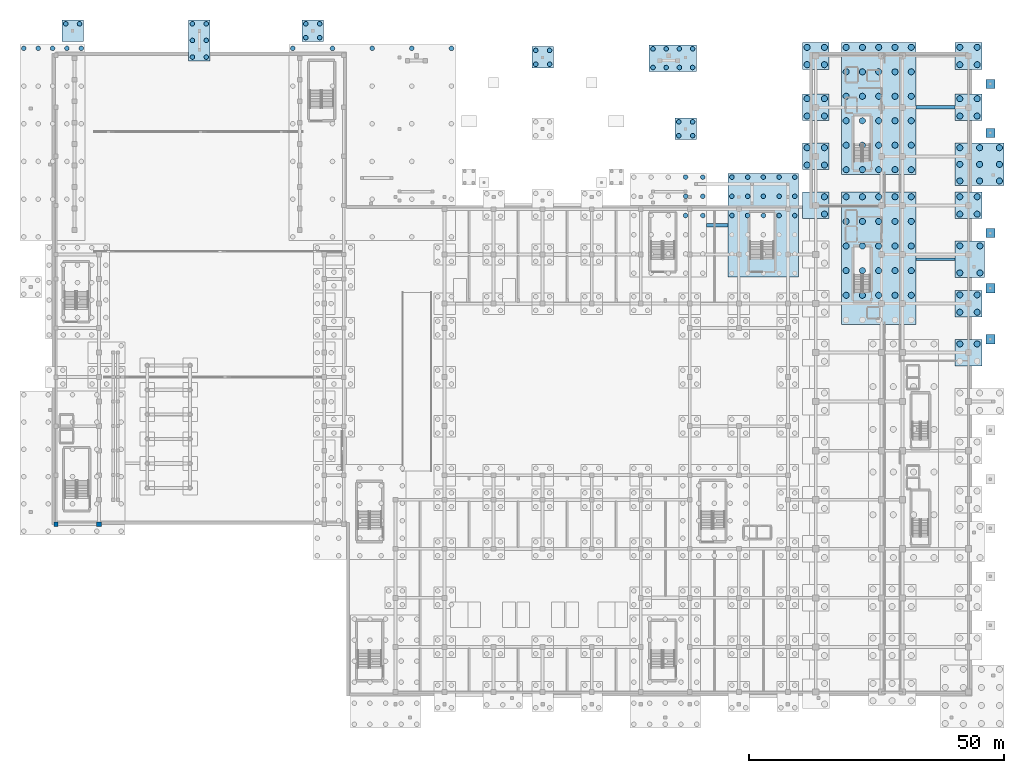
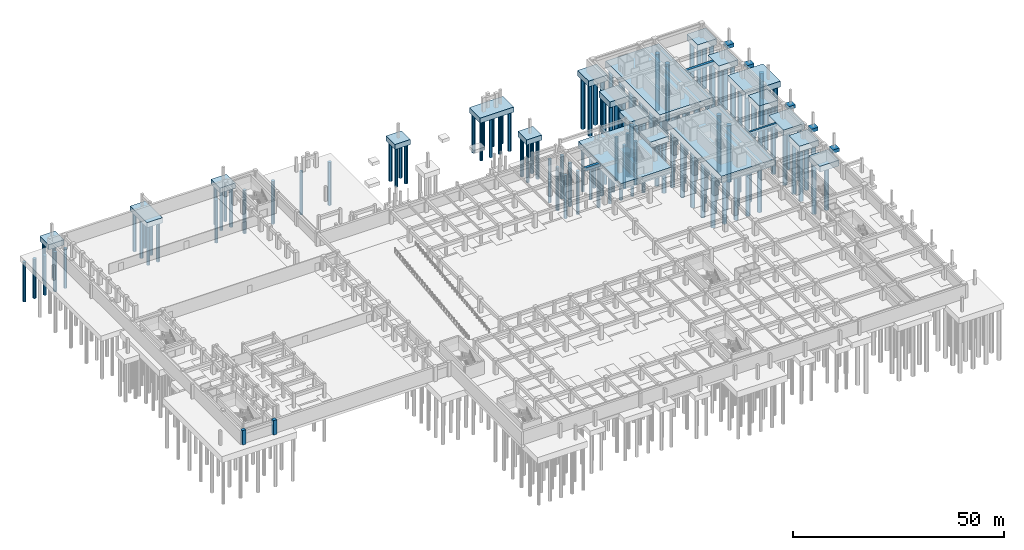
# One storey, part 5 of 39: 159 piles, 28 footings, 2 columns.
"""IFC4 building model written with IfcOpenShell, lengths in metres."""

from ifc_helpers import new_model, si_unit, direction, frame, origin, origin_2d, place, context, subcontext, project, spatial, rectangle, circle, extrude, material, material_profile, profile_set, type_object, element, save


model = new_model("IFC4")

# Units and contexts
model_context = context("Model", 3, precision=1e-05, world=origin(), true_north=direction((0.0, 1.0)))
body_context = subcontext(model_context, "Body", "Model", "MODEL_VIEW")
ifc_project = project(units=[si_unit("LENGTHUNIT", "METRE"), si_unit("AREAUNIT", "SQUARE_METRE"), si_unit("VOLUMEUNIT", "CUBIC_METRE"), si_unit("PLANEANGLEUNIT", "RADIAN"), si_unit("MASSUNIT", "GRAM", prefix="KILO")], contexts=[model_context])

# Site, building, storey
site_placement = place(None, origin())
site = spatial("IfcSite", under=ifc_project, at=site_placement, CompositionType="ELEMENT")
building_placement = place(site_placement, origin())
building = spatial("IfcBuilding", under=site, at=building_placement, Name="Nakhvara Creek Congress Hotel", CompositionType="ELEMENT")
storey_placement = place(building_placement, frame((0.0, 0.0, -8.39990234375)))
storey = spatial("IfcBuildingStorey", under=building, at=storey_placement, Name="B2", CompositionType="ELEMENT", Elevation=-8.39990234375)

# Footings
ifc_material_1 = material(Name="Concrete C40/50", Category="concrete")
footing_type_1 = type_object("IfcFootingType", Name="FT-GB-500X700", PredefinedType="FOOTING_BEAM", material=ifc_material_1)
footing_1_placement = place(storey_placement, frame((172.89990234375, 85.449951171875, -0.7001953125), z_axis=(0.0, 0.0, 1.0), x_axis=(1.0, 0.0, 0.0)))
element("IfcFooting", 1, at=footing_1_placement, inside=storey, type_object=footing_type_1, Name="Ground Beam GB-001", PredefinedType="FOOTING_BEAM", context=body_context, shape_type="SweptSolid", body=[
    extrude(rectangle(XDim=7.699951171875, YDim=0.5, at=origin_2d()), origin(), (0.0, 0.0, 1.0), 0.699951171875),
])
footing_type_2 = type_object("IfcFootingType", Name="FT-GB-700X900", PredefinedType="FOOTING_BEAM", material=ifc_material_1)
footing_2_placement = place(storey_placement, frame((172.89990234375, 115.199951171875, -0.900146484375), z_axis=(0.0, 0.0, 1.0), x_axis=(1.0, 0.0, 0.0)))
element("IfcFooting", 2, at=footing_2_placement, inside=storey, type_object=footing_type_2, Name="Ground Beam GB-002", PredefinedType="FOOTING_BEAM", context=body_context, shape_type="SweptSolid", body=[
    extrude(rectangle(XDim=7.699951171875, YDim=0.699951171875, at=origin_2d()), origin(), (0.0, 0.0, 1.0), 0.89990234375),
])
footing_3_placement = place(storey_placement, frame((130.199951171875, 92.14990234375, -0.900146484375), z_axis=(0.0, 0.0, 1.0), x_axis=(1.0, 0.0, 0.0)))
element("IfcFooting", 3, at=footing_3_placement, inside=storey, type_object=footing_type_2, Name="Ground Beam GB-005", PredefinedType="FOOTING_BEAM", context=body_context, shape_type="SweptSolid", body=[
    extrude(rectangle(XDim=4.199951171875, YDim=0.699951171875, at=origin_2d()), origin(), (0.0, 0.0, 1.0), 0.89990234375),
])
footing_type_3 = type_object("IfcFootingType", Name="FT-MCAP-1380X2030X185", PredefinedType="PILE_CAP", material=ifc_material_1)
footing_4_placement = place(storey_placement, frame((139.199951171875, 92.14990234375, -1.85009765625), z_axis=(0.0, 0.0, 1.0), x_axis=(1.0, 0.0, 0.0)))
element("IfcFooting", 4, at=footing_4_placement, inside=storey, type_object=footing_type_3, Name="Pile Cap 009", PredefinedType="PILE_CAP", context=body_context, shape_type="SweptSolid", body=[
    extrude(rectangle(XDim=13.800048828125, YDim=20.300048828125, at=origin_2d()), origin(), (0.0, 0.0, 1.0), 1.85009765625),
])
footing_type_4 = type_object("IfcFootingType", Name="FT-MCAP-1455X2575X200", PredefinedType="PILE_CAP", material=ifc_material_1)
footing_5_placement = place(storey_placement, frame((161.77490234375, 114.97509765625, -2.0), z_axis=(0.0, 0.0, 1.0), x_axis=(1.0, 0.0, 0.0)))
element("IfcFooting", 5, at=footing_5_placement, inside=storey, type_object=footing_type_4, Name="Pile Cap 002", PredefinedType="PILE_CAP", context=body_context, shape_type="SweptSolid", body=[
    extrude(rectangle(XDim=14.550048828125, YDim=25.75, at=origin_2d()), origin(), (0.0, 0.0, 1.0), 2.0),
])
footing_type_5 = type_object("IfcFootingType", Name="FT-MCAP-1455X2590X200", PredefinedType="PILE_CAP", material=ifc_material_1)
footing_6_placement = place(storey_placement, frame((161.77490234375, 85.64990234375, -2.0), z_axis=(0.0, 0.0, 1.0), x_axis=(1.0, 0.0, 0.0)))
element("IfcFooting", 6, at=footing_6_placement, inside=storey, type_object=footing_type_5, Name="Pile Cap 001", PredefinedType="PILE_CAP", context=body_context, shape_type="SweptSolid", body=[
    extrude(rectangle(XDim=14.550048828125, YDim=25.89990234375, at=origin_2d()), origin(), (0.0, 0.0, 1.0), 2.0),
])
footing_type_6 = type_object("IfcFootingType", Name="FT-MCAP-420X420X150", PredefinedType="PILE_CAP", material=ifc_material_1)
for number, where, z_axis, x_axis, name in (
    (7, (96.0, 125.0, -1.5), (0.0, 0.0, 1.0), (1.0, 0.0, 0.0), "Pile Cap 132"),
    (8, (124.0, 111.0, -1.5), (0.0, 0.0, 1.0), (1.0, 0.0, 0.0), "Pile Cap 133"),
    (9, (4.0, 130.199951171875, -1.5), (0.0, 0.0, 1.0), (1.0, 0.0, 0.0), "Pile Cap 136"),
    (10, (51.0, 130.199951171875, -1.5), (0.0, 0.0, 1.0), (1.0, 0.0, 0.0), "Pile Cap 138"),
):
    element("IfcFooting", number, at=place(storey_placement, frame(where, z_axis=z_axis, x_axis=x_axis)), inside=storey, type_object=footing_type_6, Name=name, PredefinedType="PILE_CAP", context=body_context, shape_type="SweptSolid", body=[
        extrude(rectangle(XDim=4.199951171875, YDim=4.199951171875, at=origin_2d()), origin(), (0.0, 0.0, 1.0), 1.5),
    ])
footing_type_7 = type_object("IfcFootingType", Name="FT-MCAP-420X800X150", PredefinedType="PILE_CAP", material=ifc_material_1)
footing_7_placement = place(storey_placement, frame((28.800048828125, 128.300048828125, -1.5), z_axis=(0.0, 0.0, 1.0), x_axis=(1.0, 0.0, 0.0)))
element("IfcFooting", 11, at=footing_7_placement, inside=storey, type_object=footing_type_7, Name="Pile Cap 137", PredefinedType="PILE_CAP", context=body_context, shape_type="SweptSolid", body=[
    extrude(rectangle(XDim=4.199951171875, YDim=8.0, at=origin_2d()), origin(), (0.0, 0.0, 1.0), 1.5),
])
footing_type_8 = type_object("IfcFootingType", Name="FT-MCAP-520X520X170", PredefinedType="PILE_CAP", material=ifc_material_1)
for number, where, z_axis, x_axis, name in (
    (12, (149.449951171875, 96.0, -1.7001953125), (0.0, 0.0, 1.0), (1.0, 0.0, 0.0), "Pile Cap 110"),
    (13, (149.449951171875, 105.60009765625, -1.7001953125), (0.0, 0.0, 1.0), (1.0, 0.0, 0.0), "Pile Cap 111"),
    (14, (149.449951171875, 115.199951171875, -1.7001953125), (0.0, 0.0, 1.0), (1.0, 0.0, 0.0), "Pile Cap 112"),
    (15, (149.449951171875, 125.25, -1.7001953125), (0.0, 0.0, 1.0), (1.0, 0.0, 0.0), "Pile Cap 113"),
    (16, (179.35009765625, 67.199951171875, -1.7001953125), (0.0, 0.0, 1.0), (1.0, 0.0, 0.0), "Pile Cap 124"),
    (17, (179.35009765625, 76.800048828125, -1.7001953125), (0.0, 0.0, 1.0), (1.0, 0.0, 0.0), "Pile Cap 125"),
    (18, (179.35009765625, 96.0, -1.7001953125), (0.0, 0.0, 1.0), (1.0, 0.0, 0.0), "Pile Cap 127"),
    (19, (179.35009765625, 115.199951171875, -1.7001953125), (0.0, 0.0, 1.0), (1.0, 0.0, 0.0), "Pile Cap 129"),
    (20, (179.35009765625, 125.25, -1.7001953125), (0.0, 0.0, 1.0), (1.0, 0.0, 0.0), "Pile Cap 130"),
):
    element("IfcFooting", number, at=place(storey_placement, frame(where, z_axis=z_axis, x_axis=x_axis)), inside=storey, type_object=footing_type_8, Name=name, PredefinedType="PILE_CAP", context=body_context, shape_type="SweptSolid", body=[
        extrude(rectangle(XDim=5.199951171875, YDim=5.199951171875, at=origin_2d()), origin(), (0.0, 0.0, 1.0), 1.699951171875),
    ])
footing_type_9 = type_object("IfcFootingType", Name="FT-MCAP-575X710X170", PredefinedType="PILE_CAP", material=ifc_material_1)
footing_8_placement = place(storey_placement, frame((179.625, 85.449951171875, -1.7001953125), z_axis=(0.0, 0.0, 1.0), x_axis=(1.0, 0.0, 0.0)))
element("IfcFooting", 21, at=footing_8_placement, inside=storey, type_object=footing_type_9, Name="Pile Cap 126", PredefinedType="PILE_CAP", context=body_context, shape_type="SweptSolid", body=[
    extrude(rectangle(XDim=5.75, YDim=7.10009765625, at=origin_2d()), origin(), (0.0, 0.0, 1.0), 1.699951171875),
])
footing_type_10 = type_object("IfcFootingType", Name="FT-MCAP-925X515X150", PredefinedType="PILE_CAP", material=ifc_material_1)
footing_9_placement = place(storey_placement, frame((121.47509765625, 124.824951171875, -1.5), z_axis=(0.0, 0.0, 1.0), x_axis=(1.0, 0.0, 0.0)))
element("IfcFooting", 22, at=footing_9_placement, inside=storey, type_object=footing_type_10, Name="Pile Cap 134", PredefinedType="PILE_CAP", context=body_context, shape_type="SweptSolid", body=[
    extrude(rectangle(XDim=9.25, YDim=5.14990234375, at=origin_2d()), origin(), (0.0, 0.0, 1.0), 1.5),
])
footing_type_11 = type_object("IfcFootingType", Name="FT-MCAP-955X830X170", PredefinedType="PILE_CAP", material=ifc_material_1)
footing_10_placement = place(storey_placement, frame((181.52490234375, 104.050048828125, -1.7001953125), z_axis=(0.0, 0.0, 1.0), x_axis=(1.0, 0.0, 0.0)))
element("IfcFooting", 23, at=footing_10_placement, inside=storey, type_object=footing_type_11, Name="Pile Cap 128", PredefinedType="PILE_CAP", context=body_context, shape_type="SweptSolid", body=[
    extrude(rectangle(XDim=9.550048828125, YDim=8.300048828125, at=origin_2d()), origin(), (0.0, 0.0, 1.0), 1.699951171875),
])
footing_type_12 = type_object("IfcFootingType", Name="FT-PAD-260X260X100", PredefinedType="PAD_FOOTING", material=ifc_material_1)
for number, where, z_axis, x_axis, name in (
    (24, (183.64990234375, 69.800048828125, -1.0), (0.0, 0.0, 1.0), (1.0, 0.0, 0.0), "East Boulevard Apron Pad Footing 06"),
    (25, (183.64990234375, 79.800048828125, -1.0), (0.0, 0.0, 1.0), (1.0, 0.0, 0.0), "East Boulevard Apron Pad Footing 07"),
    (26, (183.64990234375, 90.60009765625, -1.0), (0.0, 0.0, 1.0), (1.0, 0.0, 0.0), "East Boulevard Apron Pad Footing 08"),
    (27, (183.64990234375, 110.199951171875, -1.0), (0.0, 0.0, 1.0), (1.0, 0.0, 0.0), "East Boulevard Apron Pad Footing 09"),
    (28, (183.64990234375, 119.800048828125, -1.0), (0.0, 0.0, 1.0), (1.0, 0.0, 0.0), "East Boulevard Apron Pad Footing 10"),
):
    element("IfcFooting", number, at=place(storey_placement, frame(where, z_axis=z_axis, x_axis=x_axis)), inside=storey, type_object=footing_type_12, Name=name, PredefinedType="PAD_FOOTING", context=body_context, shape_type="SweptSolid", body=[
        extrude(rectangle(XDim=1.800048828125, YDim=1.800048828125, at=origin_2d()), origin(), (0.0, 0.0, 1.0), 1.0),
    ])

# Piles
ifc_material_profile_1 = material_profile(ifc_material_1, circle(Radius=0.60009765625, at=origin_2d()), Name="BORED PILE D1200", Category="LoadBearing")
ifc_profile_set_1 = profile_set([ifc_material_profile_1], Name="Concrete C40/50")
pile_type_1 = type_object("IfcPileType", Name="PILE-BORED-1200", PredefinedType="BORED", material=ifc_profile_set_1)
for number, where, z_axis, x_axis, name in (
    (29, (155.39990234375, 78.419921875, -1.900146484375), (0.0, 0.0, -1.0), (1.0, 0.0, 0.0), "Bored Pile P-0002"),
    (30, (155.39990234375, 83.239990234375, -1.900146484375), (0.0, 0.0, -1.0), (1.0, 0.0, 0.0), "Bored Pile P-0003"),
    (31, (155.39990234375, 88.06005859375, -1.900146484375), (0.0, 0.0, -1.0), (1.0, 0.0, 0.0), "Bored Pile P-0004"),
    (32, (155.39990234375, 92.8798828125, -1.900146484375), (0.0, 0.0, -1.0), (1.0, 0.0, 0.0), "Bored Pile P-0005"),
    (33, (155.39990234375, 97.699951171875, -1.900146484375), (0.0, 0.0, -1.0), (1.0, 0.0, 0.0), "Bored Pile P-0006"),
    (34, (158.587890625, 78.419921875, -1.900146484375), (0.0, 0.0, -1.0), (1.0, 0.0, 0.0), "Bored Pile P-0008"),
    (35, (158.587890625, 83.239990234375, -1.900146484375), (0.0, 0.0, -1.0), (1.0, 0.0, 0.0), "Bored Pile P-0009"),
    (36, (158.587890625, 88.06005859375, -1.900146484375), (0.0, 0.0, -1.0), (1.0, 0.0, 0.0), "Bored Pile P-0010"),
    (37, (158.587890625, 92.8798828125, -1.900146484375), (0.0, 0.0, -1.0), (1.0, 0.0, 0.0), "Bored Pile P-0011"),
    (38, (158.587890625, 97.699951171875, -1.900146484375), (0.0, 0.0, -1.0), (1.0, 0.0, 0.0), "Bored Pile P-0012"),
    (39, (161.77490234375, 78.419921875, -1.900146484375), (0.0, 0.0, -1.0), (1.0, 0.0, 0.0), "Bored Pile P-0014"),
    (40, (161.77490234375, 83.239990234375, -1.900146484375), (0.0, 0.0, -1.0), (1.0, 0.0, 0.0), "Bored Pile P-0015"),
    (41, (161.77490234375, 88.06005859375, -1.900146484375), (0.0, 0.0, -1.0), (1.0, 0.0, 0.0), "Bored Pile P-0016"),
    (42, (161.77490234375, 92.8798828125, -1.900146484375), (0.0, 0.0, -1.0), (1.0, 0.0, 0.0), "Bored Pile P-0017"),
    (43, (161.77490234375, 97.699951171875, -1.900146484375), (0.0, 0.0, -1.0), (1.0, 0.0, 0.0), "Bored Pile P-0018"),
    (44, (164.962890625, 78.419921875, -1.900146484375), (0.0, 0.0, -1.0), (1.0, 0.0, 0.0), "Bored Pile P-0020"),
    (45, (164.962890625, 83.239990234375, -1.900146484375), (0.0, 0.0, -1.0), (1.0, 0.0, 0.0), "Bored Pile P-0021"),
    (46, (164.962890625, 88.06005859375, -1.900146484375), (0.0, 0.0, -1.0), (1.0, 0.0, 0.0), "Bored Pile P-0022"),
    (47, (164.962890625, 92.8798828125, -1.900146484375), (0.0, 0.0, -1.0), (1.0, 0.0, 0.0), "Bored Pile P-0023"),
    (48, (164.962890625, 97.699951171875, -1.900146484375), (0.0, 0.0, -1.0), (1.0, 0.0, 0.0), "Bored Pile P-0024"),
    (49, (168.14990234375, 78.419921875, -1.900146484375), (0.0, 0.0, -1.0), (1.0, 0.0, 0.0), "Bored Pile P-0026"),
    (50, (168.14990234375, 83.239990234375, -1.900146484375), (0.0, 0.0, -1.0), (1.0, 0.0, 0.0), "Bored Pile P-0027"),
    (51, (168.14990234375, 88.06005859375, -1.900146484375), (0.0, 0.0, -1.0), (1.0, 0.0, 0.0), "Bored Pile P-0028"),
    (52, (168.14990234375, 92.8798828125, -1.900146484375), (0.0, 0.0, -1.0), (1.0, 0.0, 0.0), "Bored Pile P-0029"),
    (53, (168.14990234375, 97.699951171875, -1.900146484375), (0.0, 0.0, -1.0), (1.0, 0.0, 0.0), "Bored Pile P-0030"),
    (54, (155.39990234375, 103.0, -1.900146484375), (0.0, 0.0, -1.0), (1.0, 0.0, 0.0), "Bored Pile P-0031"),
    (55, (155.39990234375, 107.7900390625, -1.900146484375), (0.0, 0.0, -1.0), (1.0, 0.0, 0.0), "Bored Pile P-0032"),
    (56, (155.39990234375, 112.580078125, -1.900146484375), (0.0, 0.0, -1.0), (1.0, 0.0, 0.0), "Bored Pile P-0033"),
    (57, (155.39990234375, 117.3701171875, -1.900146484375), (0.0, 0.0, -1.0), (1.0, 0.0, 0.0), "Bored Pile P-0034"),
    (58, (155.39990234375, 122.159912109375, -1.900146484375), (0.0, 0.0, -1.0), (1.0, 0.0, 0.0), "Bored Pile P-0035"),
    (59, (155.39990234375, 126.949951171875, -1.900146484375), (0.0, 0.0, -1.0), (1.0, 0.0, 0.0), "Bored Pile P-0036"),
    (60, (158.587890625, 103.0, -1.900146484375), (0.0, 0.0, -1.0), (1.0, 0.0, 0.0), "Bored Pile P-0037"),
    (61, (158.587890625, 107.7900390625, -1.900146484375), (0.0, 0.0, -1.0), (1.0, 0.0, 0.0), "Bored Pile P-0038"),
    (62, (158.587890625, 112.580078125, -1.900146484375), (0.0, 0.0, -1.0), (1.0, 0.0, 0.0), "Bored Pile P-0039"),
    (63, (158.587890625, 117.3701171875, -1.900146484375), (0.0, 0.0, -1.0), (1.0, 0.0, 0.0), "Bored Pile P-0040"),
    (64, (158.587890625, 122.159912109375, -1.900146484375), (0.0, 0.0, -1.0), (1.0, 0.0, 0.0), "Bored Pile P-0041"),
    (65, (158.587890625, 126.949951171875, -1.900146484375), (0.0, 0.0, -1.0), (1.0, 0.0, 0.0), "Bored Pile P-0042"),
    (66, (161.77490234375, 103.0, -1.900146484375), (0.0, 0.0, -1.0), (1.0, 0.0, 0.0), "Bored Pile P-0043"),
    (67, (161.77490234375, 107.7900390625, -1.900146484375), (0.0, 0.0, -1.0), (1.0, 0.0, 0.0), "Bored Pile P-0044"),
    (68, (161.77490234375, 112.580078125, -1.900146484375), (0.0, 0.0, -1.0), (1.0, 0.0, 0.0), "Bored Pile P-0045"),
    (69, (161.77490234375, 117.3701171875, -1.900146484375), (0.0, 0.0, -1.0), (1.0, 0.0, 0.0), "Bored Pile P-0046"),
    (70, (161.77490234375, 122.159912109375, -1.900146484375), (0.0, 0.0, -1.0), (1.0, 0.0, 0.0), "Bored Pile P-0047"),
    (71, (161.77490234375, 126.949951171875, -1.900146484375), (0.0, 0.0, -1.0), (1.0, 0.0, 0.0), "Bored Pile P-0048"),
    (72, (164.962890625, 103.0, -1.900146484375), (0.0, 0.0, -1.0), (1.0, 0.0, 0.0), "Bored Pile P-0049"),
    (73, (164.962890625, 107.7900390625, -1.900146484375), (0.0, 0.0, -1.0), (1.0, 0.0, 0.0), "Bored Pile P-0050"),
    (74, (164.962890625, 112.580078125, -1.900146484375), (0.0, 0.0, -1.0), (1.0, 0.0, 0.0), "Bored Pile P-0051"),
    (75, (164.962890625, 117.3701171875, -1.900146484375), (0.0, 0.0, -1.0), (1.0, 0.0, 0.0), "Bored Pile P-0052"),
    (76, (164.962890625, 122.159912109375, -1.900146484375), (0.0, 0.0, -1.0), (1.0, 0.0, 0.0), "Bored Pile P-0053"),
    (77, (164.962890625, 126.949951171875, -1.900146484375), (0.0, 0.0, -1.0), (1.0, 0.0, 0.0), "Bored Pile P-0054"),
    (78, (168.14990234375, 103.0, -1.900146484375), (0.0, 0.0, -1.0), (1.0, 0.0, 0.0), "Bored Pile P-0055"),
    (79, (168.14990234375, 107.7900390625, -1.900146484375), (0.0, 0.0, -1.0), (1.0, 0.0, 0.0), "Bored Pile P-0056"),
    (80, (168.14990234375, 112.580078125, -1.900146484375), (0.0, 0.0, -1.0), (1.0, 0.0, 0.0), "Bored Pile P-0057"),
    (81, (168.14990234375, 117.3701171875, -1.900146484375), (0.0, 0.0, -1.0), (1.0, 0.0, 0.0), "Bored Pile P-0058"),
    (82, (168.14990234375, 122.159912109375, -1.900146484375), (0.0, 0.0, -1.0), (1.0, 0.0, 0.0), "Bored Pile P-0059"),
    (83, (168.14990234375, 126.949951171875, -1.900146484375), (0.0, 0.0, -1.0), (1.0, 0.0, 0.0), "Bored Pile P-0060"),
):
    element("IfcPile", number, at=place(storey_placement, frame(where, z_axis=z_axis, x_axis=x_axis)), inside=storey, type_object=pile_type_1, Name=name, PredefinedType="BORED", context=body_context, shape_type="SweptSolid", body=[
        extrude(circle(Radius=0.60009765625, at=origin_2d()), origin(), (0.0, 0.0, 1.0), 16.5),
    ])
for number, where, z_axis, x_axis, name in (
    (84, (151.14990234375, 94.300048828125, -1.60009765625), (0.0, 0.0, -1.0), (1.0, 0.0, 0.0), "Bored Pile P-0685"),
    (85, (151.14990234375, 97.699951171875, -1.60009765625), (0.0, 0.0, -1.0), (1.0, 0.0, 0.0), "Bored Pile P-0686"),
    (86, (147.75, 103.89990234375, -1.60009765625), (0.0, 0.0, -1.0), (1.0, 0.0, 0.0), "Bored Pile P-0687"),
    (87, (147.75, 107.300048828125, -1.60009765625), (0.0, 0.0, -1.0), (1.0, 0.0, 0.0), "Bored Pile P-0688"),
    (88, (151.14990234375, 103.89990234375, -1.60009765625), (0.0, 0.0, -1.0), (1.0, 0.0, 0.0), "Bored Pile P-0689"),
    (89, (151.14990234375, 107.300048828125, -1.60009765625), (0.0, 0.0, -1.0), (1.0, 0.0, 0.0), "Bored Pile P-0690"),
    (90, (147.75, 113.5, -1.60009765625), (0.0, 0.0, -1.0), (1.0, 0.0, 0.0), "Bored Pile P-0691"),
    (91, (147.75, 116.89990234375, -1.60009765625), (0.0, 0.0, -1.0), (1.0, 0.0, 0.0), "Bored Pile P-0692"),
    (92, (151.14990234375, 113.5, -1.60009765625), (0.0, 0.0, -1.0), (1.0, 0.0, 0.0), "Bored Pile P-0693"),
    (93, (151.14990234375, 116.89990234375, -1.60009765625), (0.0, 0.0, -1.0), (1.0, 0.0, 0.0), "Bored Pile P-0694"),
    (94, (147.75, 123.550048828125, -1.60009765625), (0.0, 0.0, -1.0), (1.0, 0.0, 0.0), "Bored Pile P-0695"),
    (95, (147.75, 126.949951171875, -1.60009765625), (0.0, 0.0, -1.0), (1.0, 0.0, 0.0), "Bored Pile P-0696"),
    (96, (151.14990234375, 123.550048828125, -1.60009765625), (0.0, 0.0, -1.0), (1.0, 0.0, 0.0), "Bored Pile P-0697"),
    (97, (151.14990234375, 126.949951171875, -1.60009765625), (0.0, 0.0, -1.0), (1.0, 0.0, 0.0), "Bored Pile P-0698"),
    (98, (177.64990234375, 68.89990234375, -1.60009765625), (0.0, 0.0, -1.0), (1.0, 0.0, 0.0), "Bored Pile P-0758"),
    (99, (181.050048828125, 68.89990234375, -1.60009765625), (0.0, 0.0, -1.0), (1.0, 0.0, 0.0), "Bored Pile P-0760"),
    (100, (177.64990234375, 75.10009765625, -1.60009765625), (0.0, 0.0, -1.0), (1.0, 0.0, 0.0), "Bored Pile P-0761"),
    (101, (177.64990234375, 78.5, -1.60009765625), (0.0, 0.0, -1.0), (1.0, 0.0, 0.0), "Bored Pile P-0762"),
    (102, (181.050048828125, 75.10009765625, -1.60009765625), (0.0, 0.0, -1.0), (1.0, 0.0, 0.0), "Bored Pile P-0763"),
    (103, (181.050048828125, 78.5, -1.60009765625), (0.0, 0.0, -1.0), (1.0, 0.0, 0.0), "Bored Pile P-0764"),
    (104, (177.64990234375, 82.800048828125, -1.60009765625), (0.0, 0.0, -1.0), (1.0, 0.0, 0.0), "Bored Pile P-0765"),
    (105, (177.64990234375, 88.10009765625, -1.60009765625), (0.0, 0.0, -1.0), (1.0, 0.0, 0.0), "Bored Pile P-0766"),
    (106, (181.60009765625, 82.800048828125, -1.60009765625), (0.0, 0.0, -1.0), (1.0, 0.0, 0.0), "Bored Pile P-0767"),
    (107, (181.60009765625, 88.10009765625, -1.60009765625), (0.0, 0.0, -1.0), (1.0, 0.0, 0.0), "Bored Pile P-0768"),
    (108, (177.64990234375, 94.300048828125, -1.60009765625), (0.0, 0.0, -1.0), (1.0, 0.0, 0.0), "Bored Pile P-0769"),
    (109, (177.64990234375, 97.699951171875, -1.60009765625), (0.0, 0.0, -1.0), (1.0, 0.0, 0.0), "Bored Pile P-0770"),
    (110, (181.050048828125, 94.300048828125, -1.60009765625), (0.0, 0.0, -1.0), (1.0, 0.0, 0.0), "Bored Pile P-0771"),
    (111, (181.050048828125, 97.699951171875, -1.60009765625), (0.0, 0.0, -1.0), (1.0, 0.0, 0.0), "Bored Pile P-0772"),
    (112, (177.64990234375, 100.800048828125, -1.60009765625), (0.0, 0.0, -1.0), (1.0, 0.0, 0.0), "Bored Pile P-0773"),
    (113, (177.64990234375, 104.050048828125, -1.60009765625), (0.0, 0.0, -1.0), (1.0, 0.0, 0.0), "Bored Pile P-0774"),
    (114, (177.64990234375, 107.300048828125, -1.60009765625), (0.0, 0.0, -1.0), (1.0, 0.0, 0.0), "Bored Pile P-0775"),
    (115, (181.52490234375, 100.800048828125, -1.60009765625), (0.0, 0.0, -1.0), (1.0, 0.0, 0.0), "Bored Pile P-0776"),
    (116, (181.52490234375, 104.050048828125, -1.60009765625), (0.0, 0.0, -1.0), (1.0, 0.0, 0.0), "Bored Pile P-0777"),
    (117, (181.52490234375, 107.300048828125, -1.60009765625), (0.0, 0.0, -1.0), (1.0, 0.0, 0.0), "Bored Pile P-0778"),
    (118, (185.39990234375, 100.800048828125, -1.60009765625), (0.0, 0.0, -1.0), (1.0, 0.0, 0.0), "Bored Pile P-0779"),
    (119, (185.39990234375, 104.050048828125, -1.60009765625), (0.0, 0.0, -1.0), (1.0, 0.0, 0.0), "Bored Pile P-0780"),
    (120, (185.39990234375, 107.300048828125, -1.60009765625), (0.0, 0.0, -1.0), (1.0, 0.0, 0.0), "Bored Pile P-0781"),
    (121, (177.64990234375, 113.5, -1.60009765625), (0.0, 0.0, -1.0), (1.0, 0.0, 0.0), "Bored Pile P-0782"),
    (122, (177.64990234375, 116.89990234375, -1.60009765625), (0.0, 0.0, -1.0), (1.0, 0.0, 0.0), "Bored Pile P-0783"),
    (123, (181.050048828125, 113.5, -1.60009765625), (0.0, 0.0, -1.0), (1.0, 0.0, 0.0), "Bored Pile P-0784"),
    (124, (181.050048828125, 116.89990234375, -1.60009765625), (0.0, 0.0, -1.0), (1.0, 0.0, 0.0), "Bored Pile P-0785"),
    (125, (177.64990234375, 123.550048828125, -1.60009765625), (0.0, 0.0, -1.0), (1.0, 0.0, 0.0), "Bored Pile P-0786"),
    (126, (177.64990234375, 126.949951171875, -1.60009765625), (0.0, 0.0, -1.0), (1.0, 0.0, 0.0), "Bored Pile P-0787"),
    (127, (181.050048828125, 123.550048828125, -1.60009765625), (0.0, 0.0, -1.0), (1.0, 0.0, 0.0), "Bored Pile P-0788"),
    (128, (181.050048828125, 126.949951171875, -1.60009765625), (0.0, 0.0, -1.0), (1.0, 0.0, 0.0), "Bored Pile P-0789"),
):
    element("IfcPile", number, at=place(storey_placement, frame(where, z_axis=z_axis, x_axis=x_axis)), inside=storey, type_object=pile_type_1, Name=name, PredefinedType="BORED", context=body_context, shape_type="SweptSolid", body=[
        extrude(circle(Radius=0.60009765625, at=origin_2d()), origin(), (0.0, 0.0, 1.0), 14.89990234375),
    ])
ifc_material_profile_2 = material_profile(ifc_material_1, circle(Radius=0.449951171875, at=origin_2d()), Name="BORED PILE D900", Category="LoadBearing")
ifc_profile_set_2 = profile_set([ifc_material_profile_2], Name="Concrete C40/50")
pile_type_2 = type_object("IfcPileType", Name="PILE-BORED-900", PredefinedType="BORED", material=ifc_profile_set_2)
for number, where, z_axis, x_axis, name in (
    (129, (47.10009765625, 126.75, -1.75), (0.0, 0.0, -1.0), (1.0, 0.0, 0.0), "Bored Pile P-0180"),
    (130, (54.862060546875, 126.75, -1.75), (0.0, 0.0, -1.0), (1.0, 0.0, 0.0), "Bored Pile P-0186"),
    (131, (62.625, 126.75, -1.75), (0.0, 0.0, -1.0), (1.0, 0.0, 0.0), "Bored Pile P-0192"),
    (132, (70.387939453125, 126.75, -1.75), (0.0, 0.0, -1.0), (1.0, 0.0, 0.0), "Bored Pile P-0198"),
    (133, (78.14990234375, 126.75, -1.75), (0.0, 0.0, -1.0), (1.0, 0.0, 0.0), "Bored Pile P-0204"),
    (134, (123.97509765625, 94.030029296875, -1.75), (0.0, 0.0, -1.0), (1.0, 0.0, 0.0), "Bored Pile P-0226"),
    (135, (123.97509765625, 97.7900390625, -1.75), (0.0, 0.0, -1.0), (1.0, 0.0, 0.0), "Bored Pile P-0227"),
    (136, (123.97509765625, 101.550048828125, -1.75), (0.0, 0.0, -1.0), (1.0, 0.0, 0.0), "Bored Pile P-0228"),
    (137, (127.35009765625, 94.030029296875, -1.75), (0.0, 0.0, -1.0), (1.0, 0.0, 0.0), "Bored Pile P-0232"),
    (138, (127.35009765625, 97.7900390625, -1.75), (0.0, 0.0, -1.0), (1.0, 0.0, 0.0), "Bored Pile P-0233"),
    (139, (127.35009765625, 101.550048828125, -1.75), (0.0, 0.0, -1.0), (1.0, 0.0, 0.0), "Bored Pile P-0234"),
    (140, (133.050048828125, 94.030029296875, -1.75), (0.0, 0.0, -1.0), (1.0, 0.0, 0.0), "Bored Pile P-0238"),
    (141, (133.050048828125, 97.7900390625, -1.75), (0.0, 0.0, -1.0), (1.0, 0.0, 0.0), "Bored Pile P-0239"),
    (142, (133.050048828125, 101.550048828125, -1.75), (0.0, 0.0, -1.0), (1.0, 0.0, 0.0), "Bored Pile P-0240"),
    (143, (136.125, 94.030029296875, -1.75), (0.0, 0.0, -1.0), (1.0, 0.0, 0.0), "Bored Pile P-0244"),
    (144, (136.125, 97.7900390625, -1.75), (0.0, 0.0, -1.0), (1.0, 0.0, 0.0), "Bored Pile P-0245"),
    (145, (136.125, 101.550048828125, -1.75), (0.0, 0.0, -1.0), (1.0, 0.0, 0.0), "Bored Pile P-0246"),
    (146, (139.199951171875, 94.030029296875, -1.75), (0.0, 0.0, -1.0), (1.0, 0.0, 0.0), "Bored Pile P-0250"),
    (147, (139.199951171875, 97.7900390625, -1.75), (0.0, 0.0, -1.0), (1.0, 0.0, 0.0), "Bored Pile P-0251"),
    (148, (139.199951171875, 101.550048828125, -1.75), (0.0, 0.0, -1.0), (1.0, 0.0, 0.0), "Bored Pile P-0252"),
    (149, (142.27490234375, 94.030029296875, -1.75), (0.0, 0.0, -1.0), (1.0, 0.0, 0.0), "Bored Pile P-0256"),
    (150, (142.27490234375, 97.7900390625, -1.75), (0.0, 0.0, -1.0), (1.0, 0.0, 0.0), "Bored Pile P-0257"),
    (151, (142.27490234375, 101.550048828125, -1.75), (0.0, 0.0, -1.0), (1.0, 0.0, 0.0), "Bored Pile P-0258"),
    (152, (145.35009765625, 94.030029296875, -1.75), (0.0, 0.0, -1.0), (1.0, 0.0, 0.0), "Bored Pile P-0262"),
    (153, (145.35009765625, 97.7900390625, -1.75), (0.0, 0.0, -1.0), (1.0, 0.0, 0.0), "Bored Pile P-0263"),
    (154, (145.35009765625, 101.550048828125, -1.75), (0.0, 0.0, -1.0), (1.0, 0.0, 0.0), "Bored Pile P-0264"),
):
    element("IfcPile", number, at=place(storey_placement, frame(where, z_axis=z_axis, x_axis=x_axis)), inside=storey, type_object=pile_type_2, Name=name, PredefinedType="BORED", context=body_context, shape_type="SweptSolid", body=[
        extrude(circle(Radius=0.449951171875, at=origin_2d()), origin(), (0.0, 0.0, 1.0), 12.5),
    ])
for number, where, z_axis, x_axis, name in (
    (155, (-5.550048828125, 126.75, -1.4501953125), (0.0, 0.0, -1.0), (1.0, 0.0, 0.0), "Bored Pile P-0414"),
    (156, (-2.737060546875, 126.75, -1.4501953125), (0.0, 0.0, -1.0), (1.0, 0.0, 0.0), "Bored Pile P-0420"),
    (157, (0.074951171875, 126.75, -1.4501953125), (0.0, 0.0, -1.0), (1.0, 0.0, 0.0), "Bored Pile P-0425"),
    (158, (2.887939453125, 126.75, -1.4501953125), (0.0, 0.0, -1.0), (1.0, 0.0, 0.0), "Bored Pile P-0430"),
    (159, (5.699951171875, 126.75, -1.4501953125), (0.0, 0.0, -1.0), (1.0, 0.0, 0.0), "Bored Pile P-0435"),
):
    element("IfcPile", number, at=place(storey_placement, frame(where, z_axis=z_axis, x_axis=x_axis)), inside=storey, type_object=pile_type_2, Name=name, PredefinedType="BORED", context=body_context, shape_type="SweptSolid", body=[
        extrude(circle(Radius=0.449951171875, at=origin_2d()), origin(), (0.0, 0.0, 1.0), 11.449951171875),
    ])
for number, where, z_axis, x_axis, name in (
    (160, (94.64990234375, 123.64990234375, -1.400146484375), (0.0, 0.0, -1.0), (1.0, 0.0, 0.0), "Bored Pile P-0794"),
    (161, (94.64990234375, 126.35009765625, -1.400146484375), (0.0, 0.0, -1.0), (1.0, 0.0, 0.0), "Bored Pile P-0795"),
    (162, (97.35009765625, 123.64990234375, -1.400146484375), (0.0, 0.0, -1.0), (1.0, 0.0, 0.0), "Bored Pile P-0796"),
    (163, (97.35009765625, 126.35009765625, -1.400146484375), (0.0, 0.0, -1.0), (1.0, 0.0, 0.0), "Bored Pile P-0797"),
    (164, (122.64990234375, 109.64990234375, -1.400146484375), (0.0, 0.0, -1.0), (1.0, 0.0, 0.0), "Bored Pile P-0798"),
    (165, (122.64990234375, 112.35009765625, -1.400146484375), (0.0, 0.0, -1.0), (1.0, 0.0, 0.0), "Bored Pile P-0799"),
    (166, (125.35009765625, 109.64990234375, -1.400146484375), (0.0, 0.0, -1.0), (1.0, 0.0, 0.0), "Bored Pile P-0800"),
    (167, (125.35009765625, 112.35009765625, -1.400146484375), (0.0, 0.0, -1.0), (1.0, 0.0, 0.0), "Bored Pile P-0801"),
    (168, (117.60009765625, 123.0, -1.400146484375), (0.0, 0.0, -1.0), (1.0, 0.0, 0.0), "Bored Pile P-0802"),
    (169, (117.60009765625, 126.64990234375, -1.400146484375), (0.0, 0.0, -1.0), (1.0, 0.0, 0.0), "Bored Pile P-0803"),
    (170, (120.18310546875, 123.0, -1.400146484375), (0.0, 0.0, -1.0), (1.0, 0.0, 0.0), "Bored Pile P-0804"),
    (171, (120.18310546875, 126.64990234375, -1.400146484375), (0.0, 0.0, -1.0), (1.0, 0.0, 0.0), "Bored Pile P-0805"),
    (172, (122.76708984375, 123.0, -1.400146484375), (0.0, 0.0, -1.0), (1.0, 0.0, 0.0), "Bored Pile P-0806"),
    (173, (122.76708984375, 126.64990234375, -1.400146484375), (0.0, 0.0, -1.0), (1.0, 0.0, 0.0), "Bored Pile P-0807"),
    (174, (125.35009765625, 123.0, -1.400146484375), (0.0, 0.0, -1.0), (1.0, 0.0, 0.0), "Bored Pile P-0808"),
    (175, (125.35009765625, 126.64990234375, -1.400146484375), (0.0, 0.0, -1.0), (1.0, 0.0, 0.0), "Bored Pile P-0809"),
    (176, (2.64990234375, 131.550048828125, -1.400146484375), (0.0, 0.0, -1.0), (1.0, 0.0, 0.0), "Bored Pile P-0814"),
    (177, (5.35009765625, 131.550048828125, -1.400146484375), (0.0, 0.0, -1.0), (1.0, 0.0, 0.0), "Bored Pile P-0815"),
    (178, (27.449951171875, 125.050048828125, -1.400146484375), (0.0, 0.0, -1.0), (1.0, 0.0, 0.0), "Bored Pile P-0816"),
    (179, (27.449951171875, 128.300048828125, -1.400146484375), (0.0, 0.0, -1.0), (1.0, 0.0, 0.0), "Bored Pile P-0817"),
    (180, (27.449951171875, 131.550048828125, -1.400146484375), (0.0, 0.0, -1.0), (1.0, 0.0, 0.0), "Bored Pile P-0818"),
    (181, (30.14990234375, 125.050048828125, -1.400146484375), (0.0, 0.0, -1.0), (1.0, 0.0, 0.0), "Bored Pile P-0819"),
    (182, (30.14990234375, 128.300048828125, -1.400146484375), (0.0, 0.0, -1.0), (1.0, 0.0, 0.0), "Bored Pile P-0820"),
    (183, (30.14990234375, 131.550048828125, -1.400146484375), (0.0, 0.0, -1.0), (1.0, 0.0, 0.0), "Bored Pile P-0821"),
    (184, (49.64990234375, 128.85009765625, -1.400146484375), (0.0, 0.0, -1.0), (1.0, 0.0, 0.0), "Bored Pile P-0822"),
    (185, (49.64990234375, 131.550048828125, -1.400146484375), (0.0, 0.0, -1.0), (1.0, 0.0, 0.0), "Bored Pile P-0823"),
    (186, (52.35009765625, 128.85009765625, -1.400146484375), (0.0, 0.0, -1.0), (1.0, 0.0, 0.0), "Bored Pile P-0824"),
    (187, (52.35009765625, 131.550048828125, -1.400146484375), (0.0, 0.0, -1.0), (1.0, 0.0, 0.0), "Bored Pile P-0825"),
):
    element("IfcPile", number, at=place(storey_placement, frame(where, z_axis=z_axis, x_axis=x_axis)), inside=storey, type_object=pile_type_2, Name=name, PredefinedType="BORED", context=body_context, shape_type="SweptSolid", body=[
        extrude(circle(Radius=0.449951171875, at=origin_2d()), origin(), (0.0, 0.0, 1.0), 11.39990234375),
    ])

# Columns
ifc_material_2 = material(Name="Concrete C50/60", Category="concrete")
ifc_material_profile_3 = material_profile(ifc_material_2, rectangle(XDim=0.85009765625, YDim=0.85009765625, at=origin_2d()), Name="RC-COL 850x850", Category="LoadBearing")
ifc_profile_set_3 = profile_set([ifc_material_profile_3], Name="Concrete C50/60")
column_type_1 = type_object("IfcColumnType", Name="COL-RC-850", PredefinedType="COLUMN", material=ifc_profile_set_3)
column_1_placement = place(storey_placement, frame((0.75, 33.60009765625, 0.0), z_axis=(0.0, 0.0, 1.0), x_axis=(1.0, 0.0, 0.0)))
element("IfcColumn", 188, at=column_1_placement, inside=storey, type_object=column_type_1, Name="Column C18-B2-0001", PredefinedType="COLUMN", context=body_context, shape_type="SweptSolid", body=[
    extrude(rectangle(XDim=0.85009765625, YDim=0.85009765625, at=origin_2d()), origin(), (0.0, 0.0, 1.0), 4.199951171875),
])
ifc_material_profile_4 = material_profile(ifc_material_2, rectangle(XDim=0.949951171875, YDim=0.949951171875, at=origin_2d()), Name="RC-COL 950x950", Category="LoadBearing")
ifc_profile_set_4 = profile_set([ifc_material_profile_4], Name="Concrete C50/60")
column_type_2 = type_object("IfcColumnType", Name="COL-RC-950", PredefinedType="COLUMN", material=ifc_profile_set_4)
column_2_placement = place(storey_placement, frame((9.14990234375, 33.60009765625, 0.0), z_axis=(0.0, 0.0, 1.0), x_axis=(1.0, 0.0, 0.0)))
element("IfcColumn", 189, at=column_2_placement, inside=storey, type_object=column_type_2, Name="Column C17-B2-0015", PredefinedType="COLUMN", context=body_context, shape_type="SweptSolid", body=[
    extrude(rectangle(XDim=0.949951171875, YDim=0.949951171875, at=origin_2d()), origin(), (0.0, 0.0, 1.0), 4.199951171875),
])

save(model, "model.ifc")
